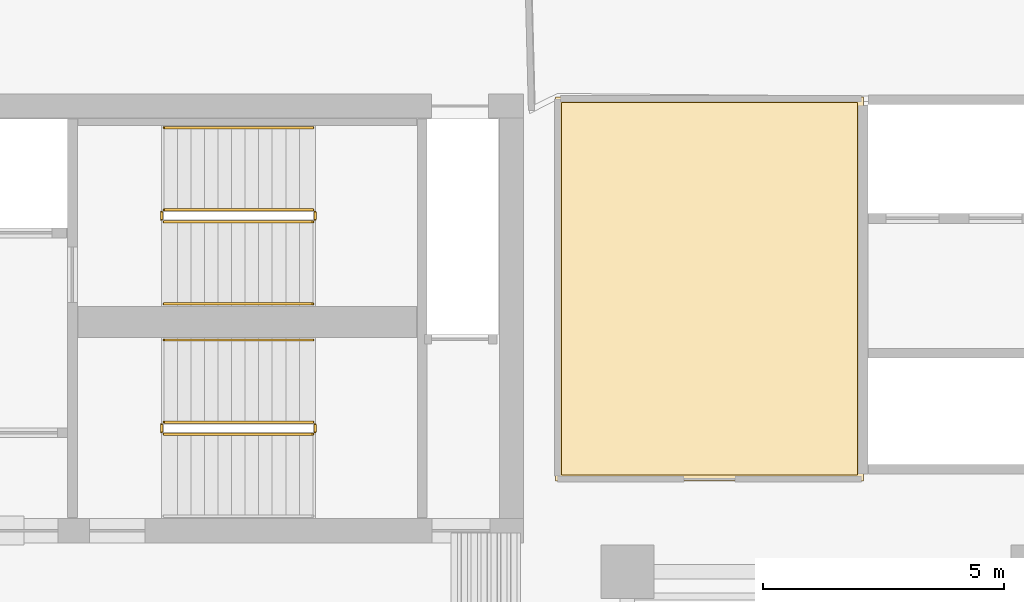
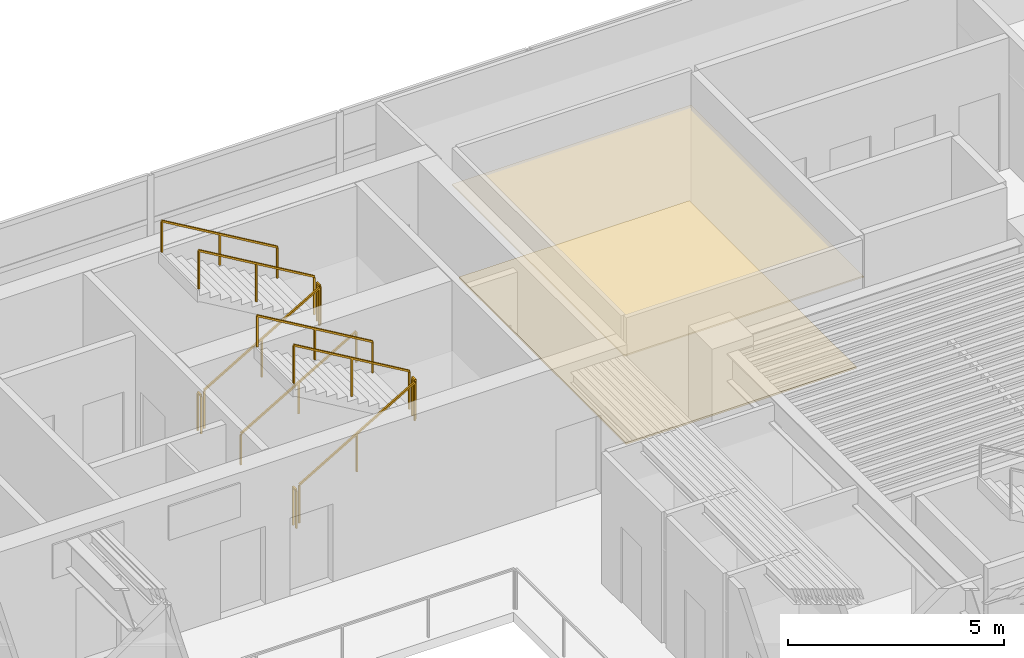
# One storey, part 12 of 13: 11 railings, 2 coverings.
"""IFC4 building model written with IfcOpenShell, lengths in metres."""

from ifc_helpers import new_model, si_unit, direction, frame, origin, origin_2d, place, context, subcontext, project, spatial, polyline, rectangle, outline, extrude, material, layer, layer_set, type_object, element, save


model = new_model("IFC4")

# Units and contexts
model_context = context("Model", 3, precision=1e-05, world=origin(), true_north=direction((0.0, 1.0)))
body_context = subcontext(model_context, "Body", "Model", "MODEL_VIEW")
ifc_project = project(units=[si_unit("LENGTHUNIT", "METRE"), si_unit("AREAUNIT", "SQUARE_METRE"), si_unit("VOLUMEUNIT", "CUBIC_METRE"), si_unit("PLANEANGLEUNIT", "RADIAN"), si_unit("MASSUNIT", "GRAM", prefix="KILO")], contexts=[model_context])

# Site, building, storey
site_placement = place(None, origin())
site = spatial("IfcSite", under=ifc_project, at=site_placement, CompositionType="ELEMENT")
building_placement = place(site_placement, origin())
building = spatial("IfcBuilding", under=site, at=building_placement, Name="Caeloran Harvest Quay", CompositionType="ELEMENT")
storey_placement = place(building_placement, frame((0.0, 0.0, 166.699951171875)))
storey = spatial("IfcBuildingStorey", under=building, at=storey_placement, Name="L39", CompositionType="ELEMENT", Elevation=166.699951171875)

# Coverings
ifc_material_1 = material(Name="Perforated Mineral-Fibre Acoustic Ceiling Tile", Category="ceiling")
ifc_layer_1 = layer(ifc_material_1, 0.0400390625, Name="Perforated Mineral-Fibre Acoustic Ceiling Tile")
ifc_layer_set_1 = layer_set([ifc_layer_1], Name="Perforated Mineral-Fibre Acoustic Ceiling Tile")
covering_type_1 = type_object("IfcCoveringType", Name="COV-CEILING-ACOUSTIC", PredefinedType="CEILING", material=ifc_layer_set_1)
covering_1_placement = place(storey_placement, frame((0.0, 0.0, 2.60009765625)))
element("IfcCovering", 1, at=covering_1_placement, inside=storey, type_object=covering_type_1, Name="L39 Bioinformatics and Crop Phenotyping Laboratory Acoustic Ceiling", PredefinedType="CEILING", context=body_context, shape_type="SweptSolid", body=[
    extrude(outline(polyline([(30.389892578125, 40.840087890625), (30.389892578125, 32.8798828125), (24.010009765625, 32.8798828125), (24.010009765625, 40.840087890625), (30.389892578125, 40.840087890625)])), origin(), (0.0, 0.0, 1.0), 0.0400390625),
])
ifc_material_2 = material(Name="Calcium-Sulphate Raised Access Floor and Terrazzo Finish", Category="flooring")
ifc_layer_2 = layer(ifc_material_2, 0.050048828125, Name="Calcium-Sulphate Raised Access Floor and Terrazzo Finish")
ifc_layer_set_2 = layer_set([ifc_layer_2], Name="Calcium-Sulphate Raised Access Floor and Terrazzo Finish")
covering_type_2 = type_object("IfcCoveringType", Name="COV-FLOOR-RAISED", PredefinedType="FLOORING", material=ifc_layer_set_2)
covering_2_placement = place(storey_placement, origin())
element("IfcCovering", 2, at=covering_2_placement, inside=storey, type_object=covering_type_2, Name="L39 Bioinformatics and Crop Phenotyping Laboratory Raised Finish Flooring", PredefinedType="FLOORING", context=body_context, shape_type="SweptSolid", body=[
    extrude(outline(polyline([(30.27001953125, 40.719970703125), (30.27001953125, 33.0), (24.1298828125, 33.0), (24.1298828125, 40.719970703125), (30.27001953125, 40.719970703125)])), origin(), (0.0, 0.0, 1.0), 0.050048828125),
])

# Railings
ifc_material_3 = material(Name="Painted Steel Baluster and Top-Rail Stair Guard", Category="steel")
ifc_layer_3 = layer(ifc_material_3, 0.050048828125, Name="Painted Steel Baluster and Top-Rail Stair Guard")
ifc_layer_set_3 = layer_set([ifc_layer_3], Name="Painted Steel Baluster and Top-Rail Stair Guard")
railing_type_1 = type_object("IfcRailingType", Name="STAIR-GUARD-1100", PredefinedType="GUARDRAIL", material=ifc_layer_set_3)
railing_1_placement = place(storey_placement, frame((15.89990234375, 38.25, 0.16455078125)))
element("IfcRailing", 3, at=railing_1_placement, inside=storey, type_object=railing_type_1, Name="L39 ST-C1 stair guard 1", PredefinedType="GUARDRAIL", context=body_context, shape_type="SweptSolid", body=[
    extrude(rectangle(XDim=0.048095703125, YDim=0.048095703125, at=origin_2d()), frame((0.0, 0.0, 1.076171875), z_axis=(0.862088758681, 0.0, 0.506757310905), x_axis=(0.0, 1.0, 0.0)), (0.0, 0.0, 1.0), 3.57275390625),
    extrude(rectangle(XDim=0.0419921875, YDim=0.0419921875, at=origin_2d()), origin(), (0.0, 0.0, 1.0), 1.052001953125),
    extrude(rectangle(XDim=0.0419921875, YDim=0.0419921875, at=origin_2d()), frame((1.5400390625, 0.0, 0.9052734375)), (0.0, 0.0, 1.0), 1.052001953125),
    extrude(rectangle(XDim=0.0419921875, YDim=0.0419921875, at=origin_2d()), frame((3.080078125, 0.0, 1.810546875)), (0.0, 0.0, 1.0), 1.052001953125),
])
railing_2_placement = place(storey_placement, frame((19.030029296875, 38.300048828125, 1.97509765625)))
element("IfcRailing", 4, at=railing_2_placement, inside=storey, type_object=railing_type_1, Name="L39 ST-C1 stair guard 2", PredefinedType="GUARDRAIL", context=body_context, shape_type="SweptSolid", body=[
    extrude(rectangle(XDim=0.048095703125, YDim=0.048095703125, at=origin_2d()), frame((0.0, 0.0, 1.076171875), z_axis=(0.0, 1.0, 0.0), x_axis=(-1.0, 0.0, 0.0)), (0.0, 0.0, 1.0), 0.14990234375),
    extrude(rectangle(XDim=0.0419921875, YDim=0.0419921875, at=origin_2d()), origin(), (0.0, 0.0, 1.0), 1.052001953125),
    extrude(rectangle(XDim=0.0419921875, YDim=0.0419921875, at=origin_2d()), frame((0.0, 0.14990234375, 0.0)), (0.0, 0.0, 1.0), 1.052001953125),
])
railing_3_placement = place(storey_placement, frame((18.97998046875, 38.5, 2.1396484375)))
element("IfcRailing", 5, at=railing_3_placement, inside=storey, type_object=railing_type_1, Name="L39 ST-C1 stair guard 3", PredefinedType="GUARDRAIL", context=body_context, shape_type="SweptSolid", body=[
    extrude(rectangle(XDim=0.048095703125, YDim=0.048095703125, at=origin_2d()), frame((0.0, 0.0, 1.076171875), z_axis=(-0.862118610829, 0.0, 0.506706523406), x_axis=(0.0, -1.0, 0.0)), (0.0, 0.0, 1.0), 3.57275390625),
    extrude(rectangle(XDim=0.0419921875, YDim=0.0419921875, at=origin_2d()), origin(), (0.0, 0.0, 1.0), 1.052001953125),
    extrude(rectangle(XDim=0.0419921875, YDim=0.0419921875, at=origin_2d()), frame((-1.5400390625, 0.0, 0.9052734375)), (0.0, 0.0, 1.0), 1.052001953125),
    extrude(rectangle(XDim=0.0419921875, YDim=0.0419921875, at=origin_2d()), frame((-3.080078125, 0.0, 1.810302734375)), (0.0, 0.0, 1.0), 1.052001953125),
])
railing_4_placement = place(storey_placement, frame((15.85009765625, 38.300048828125, 0.0)))
element("IfcRailing", 6, at=railing_4_placement, inside=storey, type_object=railing_type_1, Name="L39 ST-C1 stair guard 4", PredefinedType="GUARDRAIL", context=body_context, shape_type="SweptSolid", body=[
    extrude(rectangle(XDim=0.048095703125, YDim=0.048095703125, at=origin_2d()), frame((0.0, 0.0, 1.076171875), z_axis=(0.0, 1.0, 0.0), x_axis=(-1.0, 0.0, 0.0)), (0.0, 0.0, 1.0), 0.14990234375),
    extrude(rectangle(XDim=0.0419921875, YDim=0.0419921875, at=origin_2d()), origin(), (0.0, 0.0, 1.0), 1.052001953125),
    extrude(rectangle(XDim=0.0419921875, YDim=0.0419921875, at=origin_2d()), frame((0.0, 0.14990234375, 0.0)), (0.0, 0.0, 1.0), 1.052001953125),
])
railing_5_placement = place(storey_placement, frame((15.89990234375, 33.85009765625, 0.16455078125)))
element("IfcRailing", 7, at=railing_5_placement, inside=storey, type_object=railing_type_1, Name="L39 ST-C2 stair guard 1", PredefinedType="GUARDRAIL", context=body_context, shape_type="SweptSolid", body=[
    extrude(rectangle(XDim=0.048095703125, YDim=0.048095703125, at=origin_2d()), frame((0.0, 0.0, 1.076171875), z_axis=(0.862088758681, 0.0, 0.506757310905), x_axis=(0.0, 1.0, 0.0)), (0.0, 0.0, 1.0), 3.57275390625),
    extrude(rectangle(XDim=0.0419921875, YDim=0.0419921875, at=origin_2d()), origin(), (0.0, 0.0, 1.0), 1.052001953125),
    extrude(rectangle(XDim=0.0419921875, YDim=0.0419921875, at=origin_2d()), frame((1.5400390625, 0.0, 0.9052734375)), (0.0, 0.0, 1.0), 1.052001953125),
    extrude(rectangle(XDim=0.0419921875, YDim=0.0419921875, at=origin_2d()), frame((3.080078125, 0.0, 1.810546875)), (0.0, 0.0, 1.0), 1.052001953125),
])
railing_6_placement = place(storey_placement, frame((19.030029296875, 33.89990234375, 1.97509765625)))
element("IfcRailing", 8, at=railing_6_placement, inside=storey, type_object=railing_type_1, Name="L39 ST-C2 stair guard 2", PredefinedType="GUARDRAIL", context=body_context, shape_type="SweptSolid", body=[
    extrude(rectangle(XDim=0.048095703125, YDim=0.048095703125, at=origin_2d()), frame((0.0, 0.0, 1.076171875), z_axis=(0.0, 1.0, 0.0), x_axis=(-1.0, 0.0, 0.0)), (0.0, 0.0, 1.0), 0.150146484375),
    extrude(rectangle(XDim=0.0419921875, YDim=0.0419921875, at=origin_2d()), origin(), (0.0, 0.0, 1.0), 1.052001953125),
    extrude(rectangle(XDim=0.0419921875, YDim=0.0419921875, at=origin_2d()), frame((0.0, 0.150146484375, 0.0)), (0.0, 0.0, 1.0), 1.052001953125),
])
railing_7_placement = place(storey_placement, frame((18.97998046875, 34.10009765625, 2.1396484375)))
element("IfcRailing", 9, at=railing_7_placement, inside=storey, type_object=railing_type_1, Name="L39 ST-C2 stair guard 3", PredefinedType="GUARDRAIL", context=body_context, shape_type="SweptSolid", body=[
    extrude(rectangle(XDim=0.048095703125, YDim=0.048095703125, at=origin_2d()), frame((0.0, 0.0, 1.076171875), z_axis=(-0.862118610829, 0.0, 0.506706523406), x_axis=(0.0, -1.0, 0.0)), (0.0, 0.0, 1.0), 3.57275390625),
    extrude(rectangle(XDim=0.0419921875, YDim=0.0419921875, at=origin_2d()), origin(), (0.0, 0.0, 1.0), 1.052001953125),
    extrude(rectangle(XDim=0.0419921875, YDim=0.0419921875, at=origin_2d()), frame((-1.5400390625, 0.0, 0.9052734375)), (0.0, 0.0, 1.0), 1.052001953125),
    extrude(rectangle(XDim=0.0419921875, YDim=0.0419921875, at=origin_2d()), frame((-3.080078125, 0.0, 1.810302734375)), (0.0, 0.0, 1.0), 1.052001953125),
])
railing_8_placement = place(storey_placement, frame((15.85009765625, 33.89990234375, 0.0)))
element("IfcRailing", 10, at=railing_8_placement, inside=storey, type_object=railing_type_1, Name="L39 ST-C2 stair guard 4", PredefinedType="GUARDRAIL", context=body_context, shape_type="SweptSolid", body=[
    extrude(rectangle(XDim=0.048095703125, YDim=0.048095703125, at=origin_2d()), frame((0.0, 0.0, 1.076171875), z_axis=(0.0, 1.0, 0.0), x_axis=(-1.0, 0.0, 0.0)), (0.0, 0.0, 1.0), 0.150146484375),
    extrude(rectangle(XDim=0.0419921875, YDim=0.0419921875, at=origin_2d()), origin(), (0.0, 0.0, 1.0), 1.052001953125),
    extrude(rectangle(XDim=0.0419921875, YDim=0.0419921875, at=origin_2d()), frame((0.0, 0.150146484375, 0.0)), (0.0, 0.0, 1.0), 1.052001953125),
])
ifc_material_4 = material(Name="Brushed Stainless Steel Grade 304", Category="steel")
ifc_layer_4 = layer(ifc_material_4, 0.050048828125, Name="Brushed Stainless Steel Grade 304")
ifc_layer_set_4 = layer_set([ifc_layer_4], Name="Brushed Stainless Steel Grade 304")
railing_type_2 = type_object("IfcRailingType", Name="STAIR-HANDRAIL-900", PredefinedType="HANDRAIL", material=ifc_layer_set_4)
railing_9_placement = place(storey_placement, frame((15.89990234375, 36.550048828125, 0.16455078125)))
element("IfcRailing", 11, at=railing_9_placement, inside=storey, type_object=railing_type_2, Name="L39 ST-C1 stair handrail 1", PredefinedType="HANDRAIL", context=body_context, shape_type="SweptSolid", body=[
    extrude(rectangle(XDim=0.048095703125, YDim=0.048095703125, at=origin_2d()), frame((0.0, 0.0, 0.8759765625), z_axis=(0.862088758681, 0.0, 0.506757310905), x_axis=(0.0, 1.0, 0.0)), (0.0, 0.0, 1.0), 3.57275390625),
    extrude(rectangle(XDim=0.0419921875, YDim=0.0419921875, at=origin_2d()), origin(), (0.0, 0.0, 1.0), 0.851806640625),
    extrude(rectangle(XDim=0.0419921875, YDim=0.0419921875, at=origin_2d()), frame((1.5400390625, 0.0, 0.9052734375)), (0.0, 0.0, 1.0), 0.851806640625),
    extrude(rectangle(XDim=0.0419921875, YDim=0.0419921875, at=origin_2d()), frame((3.080078125, 0.0, 1.810546875)), (0.0, 0.0, 1.0), 0.851806640625),
])
for number, where, name in (
    (12, (18.97998046875, 40.199951171875, 2.1396484375), "L39 ST-C1 stair handrail 2"),
    (13, (18.97998046875, 35.800048828125, 2.1396484375), "L39 ST-C2 stair handrail 2"),
):
    element("IfcRailing", number, at=place(storey_placement, frame(where)), inside=storey, type_object=railing_type_2, Name=name, PredefinedType="HANDRAIL", context=body_context, shape_type="SweptSolid", body=[
        extrude(rectangle(XDim=0.048095703125, YDim=0.048095703125, at=origin_2d()), frame((0.0, 0.0, 0.8759765625), z_axis=(-0.862118610829, 0.0, 0.506706523406), x_axis=(0.0, -1.0, 0.0)), (0.0, 0.0, 1.0), 3.57275390625),
        extrude(rectangle(XDim=0.0419921875, YDim=0.0419921875, at=origin_2d()), origin(), (0.0, 0.0, 1.0), 0.851806640625),
        extrude(rectangle(XDim=0.0419921875, YDim=0.0419921875, at=origin_2d()), frame((-1.5400390625, 0.0, 0.9052734375)), (0.0, 0.0, 1.0), 0.851806640625),
        extrude(rectangle(XDim=0.0419921875, YDim=0.0419921875, at=origin_2d()), frame((-3.080078125, 0.0, 1.810302734375)), (0.0, 0.0, 1.0), 0.851806640625),
    ])

save(model, "model.ifc")
